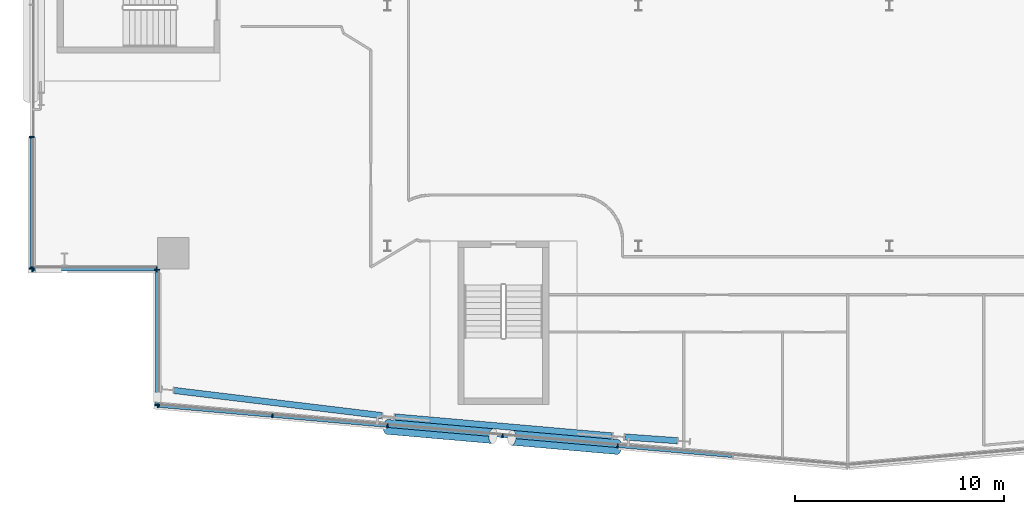
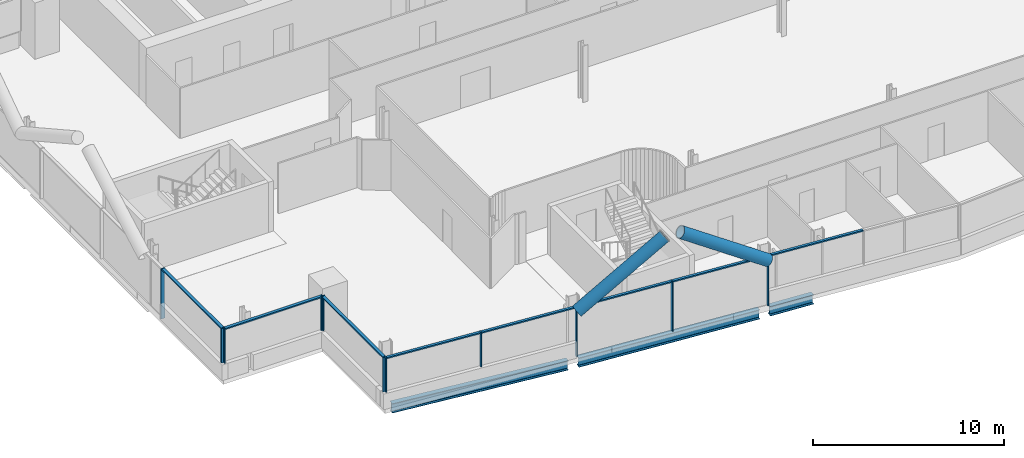
# One storey, part 6 of 29: 21 members, 3 beams, 4 elements without a shape of their own.
"""IFC4 building model written with IfcOpenShell, lengths in metres."""

from ifc_helpers import new_model, si_unit, direction, frame, origin, origin_2d, place, context, subcontext, project, spatial, rectangle, hollow_circle, i_section, extrude, material, material_profile, profile_set, type_object, element, aggregate, save


model = new_model("IFC4")

# Units and contexts
model_context = context("Model", 3, precision=1e-05, world=origin(), true_north=direction((0.0, 1.0)))
body_context = subcontext(model_context, "Body", "Model", "MODEL_VIEW")
ifc_project = project(units=[si_unit("LENGTHUNIT", "METRE"), si_unit("AREAUNIT", "SQUARE_METRE"), si_unit("VOLUMEUNIT", "CUBIC_METRE"), si_unit("PLANEANGLEUNIT", "RADIAN"), si_unit("MASSUNIT", "GRAM", prefix="KILO")], contexts=[model_context])

# Site, building, storey
site_placement = place(None, origin())
site = spatial("IfcSite", under=ifc_project, at=site_placement, CompositionType="ELEMENT")
building_placement = place(site_placement, origin())
building = spatial("IfcBuilding", under=site, at=building_placement, Name="Wharfspan Tower", CompositionType="ELEMENT")
storey_placement = place(building_placement, frame((0.0, 0.0, 155.5)))
storey = spatial("IfcBuildingStorey", under=building, at=storey_placement, Name="L37", CompositionType="ELEMENT", Elevation=155.5)

# Beams
ifc_material_1 = material(Name="Steel S355J2", Category="steel")
ifc_material_profile_1 = material_profile(ifc_material_1, i_section(OverallWidth=0.300049, OverallDepth=0.600098, WebThickness=0.015381, FlangeThickness=0.030029, FilletRadius=0.0271, at=origin_2d()))
ifc_profile_set_1 = profile_set([ifc_material_profile_1], Name="Steel S355J2")
beam_type = type_object("IfcBeamType", Name="Edge beam HEB 600", PredefinedType="SPANDREL", material=ifc_profile_set_1)
beam_1_placement = place(storey_placement, frame((13.794678, 4.600586, -0.699951), z_axis=(0.992758, -0.12013, 0.0), x_axis=(0.12013, 0.992758, 0.0)))
element("IfcBeam", 1, at=beam_1_placement, inside=storey, type_object=beam_type, Name="Edge beam S1 L37 PS1.1 to PS1.2", PredefinedType="SPANDREL", context=body_context, shape_type="SweptSolid", body=[
    extrude(i_section(OverallWidth=0.300049, OverallDepth=0.600098, WebThickness=0.015381, FlangeThickness=0.030029, FilletRadius=0.0271, at=origin_2d()), origin(), (0.0, 0.0, 1.0), 10.013184),
])
beam_2_placement = place(storey_placement, frame((24.343994, 3.334229, -0.699951), z_axis=(0.996196, -0.087146, 0.0), x_axis=(0.087146, 0.996196, 0.0)))
element("IfcBeam", 2, at=beam_2_placement, inside=storey, type_object=beam_type, Name="Edge beam S1 L37 PS1.2 to PS1.3", PredefinedType="SPANDREL", context=body_context, shape_type="SweptSolid", body=[
    extrude(i_section(OverallWidth=0.300049, OverallDepth=0.600098, WebThickness=0.015381, FlangeThickness=0.030029, FilletRadius=0.0271, at=origin_2d()), origin(), (0.0, 0.0, 1.0), 10.430176),
])
beam_3_placement = place(storey_placement, frame((35.344482, 2.376709, -0.699951), z_axis=(0.997423, -0.07175, 0.0), x_axis=(0.07175, 0.997423, 0.0)))
element("IfcBeam", 3, at=beam_3_placement, inside=storey, type_object=beam_type, Name="Edge beam S1 L37 PS1.3 to PS1.4", PredefinedType="SPANDREL", context=body_context, shape_type="SweptSolid", body=[
    extrude(i_section(OverallWidth=0.300049, OverallDepth=0.600098, WebThickness=0.015381, FlangeThickness=0.030029, FilletRadius=0.0271, at=origin_2d()), origin(), (0.0, 0.0, 1.0), 2.518066),
])

# Curtain wall, members
ifc_material_2 = material(Name="Aluminium 6063-T6", Category="aluminium")
curtain_wall_type_1 = type_object("IfcCurtainWallType", Name="CURTAIN WALL FACETED FRONT", PredefinedType="NOTDEFINED", material=ifc_material_2)
curtain_wall_1_placement = place(storey_placement, origin())
curtain_wall_1 = element("IfcCurtainWall", 4, at=curtain_wall_1_placement, inside=storey, type_object=curtain_wall_type_1, Name="Curtain wall S1", PredefinedType="NOTDEFINED")
ifc_material_profile_2 = material_profile(ifc_material_2, rectangle(XDim=0.199951, YDim=0.060059, at=origin_2d()))
ifc_profile_set_2 = profile_set([ifc_material_profile_2], Name="Aluminium 6063-T6")
member_type_1 = type_object("IfcMemberType", Name="MULLION FACETED FRONT 60x200", PredefinedType="MULLION", material=ifc_profile_set_2)
member_1_placement = place(storey_placement, frame((13.029785, 3.872559, 1.0), z_axis=(0.0, 0.0, 1.0), x_axis=(0.087156, 0.996198, 0.0)))
member_1 = element("IfcMember", 5, at=member_1_placement, type_object=member_type_1, Name="Curtain wall S1 mullion 1", PredefinedType="MULLION", context=body_context, shape_type="SweptSolid", body=[
    extrude(rectangle(XDim=0.199951, YDim=0.060059, at=origin_2d()), origin(), (0.0, 0.0, 1.0), 2.199951),
])
member_2_placement = place(storey_placement, frame((18.5, 3.393799, 1.0), z_axis=(0.0, 0.0, 1.0), x_axis=(0.087156, 0.996198, 0.0)))
member_2 = element("IfcMember", 6, at=member_2_placement, type_object=member_type_1, Name="Curtain wall S1 mullion 2", PredefinedType="MULLION", context=body_context, shape_type="SweptSolid", body=[
    extrude(rectangle(XDim=0.199951, YDim=0.060059, at=origin_2d()), origin(), (0.0, 0.0, 1.0), 2.199951),
])
member_3_placement = place(storey_placement, frame((24.0, 2.912598, 0.0), z_axis=(0.0, 0.0, 1.0), x_axis=(0.087156, 0.996198, 0.0)))
member_3 = element("IfcMember", 7, at=member_3_placement, type_object=member_type_1, Name="Curtain wall S1 mullion 3", PredefinedType="MULLION", context=body_context, shape_type="SweptSolid", body=[
    extrude(rectangle(XDim=0.199951, YDim=0.060059, at=origin_2d()), origin(), (0.0, 0.0, 1.0), 3.199951),
])
member_4_placement = place(storey_placement, frame((29.5, 2.431396, 0.0), z_axis=(0.0, 0.0, 1.0), x_axis=(0.087156, 0.996198, 0.0)))
member_4 = element("IfcMember", 8, at=member_4_placement, type_object=member_type_1, Name="Curtain wall S1 mullion 4", PredefinedType="MULLION", context=body_context, shape_type="SweptSolid", body=[
    extrude(rectangle(XDim=0.199951, YDim=0.060059, at=origin_2d()), origin(), (0.0, 0.0, 1.0), 3.199951),
])
member_5_placement = place(storey_placement, frame((35.0, 1.950195, 0.0), z_axis=(0.0, 0.0, 1.0), x_axis=(0.087156, 0.996198, 0.0)))
member_5 = element("IfcMember", 9, at=member_5_placement, type_object=member_type_1, Name="Curtain wall S1 mullion 5", PredefinedType="MULLION", context=body_context, shape_type="SweptSolid", body=[
    extrude(rectangle(XDim=0.199951, YDim=0.060059, at=origin_2d()), origin(), (0.0, 0.0, 1.0), 3.199951),
])

curtain_wall_type_2 = type_object("IfcCurtainWallType", Name="CURTAIN WALL PROW AND END", PredefinedType="NOTDEFINED", material=ifc_material_2)
curtain_wall_2_placement = place(storey_placement, origin())
curtain_wall_2 = element("IfcCurtainWall", 10, at=curtain_wall_2_placement, inside=storey, type_object=curtain_wall_type_2, Name="Curtain wall W", PredefinedType="NOTDEFINED")
ifc_material_profile_3 = material_profile(ifc_material_2, rectangle(XDim=0.23999, YDim=0.060059, at=origin_2d()))
ifc_profile_set_3 = profile_set([ifc_material_profile_3], Name="Aluminium 6063-T6")
member_type_2 = type_object("IfcMemberType", Name="MULLION PROW AND END 60x240", PredefinedType="MULLION", material=ifc_profile_set_3)
member_6_placement = place(storey_placement, frame((7.0, 16.719971, 0.0), z_axis=(0.0, 0.0, 1.0), x_axis=(1.0, 0.0, 0.0)))
member_6 = element("IfcMember", 11, at=member_6_placement, type_object=member_type_2, Name="Curtain wall W mullion 5", PredefinedType="MULLION", context=body_context, shape_type="SweptSolid", body=[
    extrude(rectangle(XDim=0.23999, YDim=0.060059, at=origin_2d()), origin(), (0.0, 0.0, 1.0), 3.199951),
])
member_7_placement = place(storey_placement, frame((7.0, 10.429932, 1.0), z_axis=(0.0, 0.0, 1.0), x_axis=(1.0, 0.0, 0.0)))
member_7 = element("IfcMember", 12, at=member_7_placement, type_object=member_type_2, Name="Curtain wall W mullion 6", PredefinedType="MULLION", context=body_context, shape_type="SweptSolid", body=[
    extrude(rectangle(XDim=0.23999, YDim=0.060059, at=origin_2d()), origin(), (0.0, 0.0, 1.0), 2.199951),
])

curtain_wall_3_placement = place(storey_placement, origin())
curtain_wall_3 = element("IfcCurtainWall", 13, at=curtain_wall_3_placement, inside=storey, type_object=curtain_wall_type_2, Name="Curtain wall NFW-H", PredefinedType="NOTDEFINED")
member_8_placement = place(storey_placement, frame((7.030029, 10.399902, 1.0), z_axis=(0.0, 0.0, 1.0), x_axis=(0.0, 1.0, 0.0)))
member_8 = element("IfcMember", 14, at=member_8_placement, type_object=member_type_2, Name="Curtain wall NFW-H mullion 1", PredefinedType="MULLION", context=body_context, shape_type="SweptSolid", body=[
    extrude(rectangle(XDim=0.23999, YDim=0.060059, at=origin_2d()), origin(), (0.0, 0.0, 1.0), 2.199951),
])
member_9_placement = place(storey_placement, frame((12.969971, 10.399902, 1.0), z_axis=(0.0, 0.0, 1.0), x_axis=(0.0, 1.0, 0.0)))
member_9 = element("IfcMember", 15, at=member_9_placement, type_object=member_type_2, Name="Curtain wall NFW-H mullion 2", PredefinedType="MULLION", context=body_context, shape_type="SweptSolid", body=[
    extrude(rectangle(XDim=0.23999, YDim=0.060059, at=origin_2d()), origin(), (0.0, 0.0, 1.0), 2.199951),
])

curtain_wall_4_placement = place(storey_placement, origin())
curtain_wall_4 = element("IfcCurtainWall", 16, at=curtain_wall_4_placement, inside=storey, type_object=curtain_wall_type_2, Name="Curtain wall NFW-V", PredefinedType="NOTDEFINED")
member_10_placement = place(storey_placement, frame((13.0, 10.370117, 1.0), z_axis=(0.0, 0.0, 1.0), x_axis=(1.0, 0.0, 0.0)))
member_10 = element("IfcMember", 17, at=member_10_placement, type_object=member_type_2, Name="Curtain wall NFW-V mullion 1", PredefinedType="MULLION", context=body_context, shape_type="SweptSolid", body=[
    extrude(rectangle(XDim=0.23999, YDim=0.060059, at=origin_2d()), origin(), (0.0, 0.0, 1.0), 2.199951),
])
member_11_placement = place(storey_placement, frame((13.0, 3.905029, 1.0), z_axis=(0.0, 0.0, 1.0), x_axis=(1.0, 0.0, 0.0)))
member_11 = element("IfcMember", 18, at=member_11_placement, type_object=member_type_2, Name="Curtain wall NFW-V mullion 2", PredefinedType="MULLION", context=body_context, shape_type="SweptSolid", body=[
    extrude(rectangle(XDim=0.23999, YDim=0.060059, at=origin_2d()), origin(), (0.0, 0.0, 1.0), 2.199951),
])

# Members
ifc_material_3 = material(Name="Steel S460NH", Category="steel")
ifc_material_profile_4 = material_profile(ifc_material_3, hollow_circle(Radius=0.355469, WallThickness=0.035889, at=origin_2d()))
ifc_profile_set_4 = profile_set([ifc_material_profile_4], Name="Steel S460NH")
member_type_3 = type_object("IfcMemberType", Name="Mega brace CHS 711x36", PredefinedType="BRACE", material=ifc_profile_set_4)
for number, where, z_axis, x_axis, name in (
    (19, (23.995117, 2.85791, 2.899902), (0.834469, -0.073006, 0.546197), (0.087156, 0.996198, -1e-06), "Mega brace S1 L38 part 1"),
    (20, (34.995117, 1.895508, 2.899902), (-0.834469, 0.073006, 0.546197), (-0.087156, -0.996198, -1e-06), "Mega brace S1 L38 part 3"),
):
    element("IfcMember", number, at=place(storey_placement, frame(where, z_axis=z_axis, x_axis=x_axis)), inside=storey, type_object=member_type_3, Name=name, PredefinedType="BRACE", context=body_context, shape_type="SweptSolid", body=[
        extrude(hollow_circle(Radius=0.355469, WallThickness=0.035889, at=origin_2d()), origin(), (0.0, 0.0, 1.0), 6.049561),
    ])

# Member
ifc_material_profile_5 = material_profile(ifc_material_2, rectangle(XDim=0.159912, YDim=0.080078, at=origin_2d()))
ifc_profile_set_5 = profile_set([ifc_material_profile_5], Name="Aluminium 6063-T6")
member_type_4 = type_object("IfcMemberType", Name="TRANSOM FACETED FRONT 80x160", PredefinedType="USERDEFINED", material=ifc_profile_set_5)
member_12_placement = place(storey_placement, frame((13.059814, 3.869873, 3.159912), z_axis=(0.996194, -0.087163, 0.0), x_axis=(0.087163, 0.996194, 0.0)))
member_12 = element("IfcMember", 21, at=member_12_placement, type_object=member_type_4, Name="Curtain wall S1 transom 1", ObjectType="TRANSOM", PredefinedType="USERDEFINED", context=body_context, shape_type="SweptSolid", body=[
    extrude(rectangle(XDim=0.159912, YDim=0.080078, at=origin_2d()), origin(), (0.0, 0.0, 1.0), 5.431152),
])

member_13_placement = place(storey_placement, frame((18.529785, 3.391357, 3.159912), z_axis=(0.996193, -0.087174, 0.0), x_axis=(0.087174, 0.996193, 0.0)))
member_13 = element("IfcMember", 22, at=member_13_placement, type_object=member_type_4, Name="Curtain wall S1 transom 2", ObjectType="TRANSOM", PredefinedType="USERDEFINED", context=body_context, shape_type="SweptSolid", body=[
    extrude(rectangle(XDim=0.159912, YDim=0.080078, at=origin_2d()), origin(), (0.0, 0.0, 1.0), 5.461182),
])

member_14_placement = place(storey_placement, frame((24.029785, 2.910156, 3.159912), z_axis=(0.996193, -0.087174, 0.0), x_axis=(0.087174, 0.996193, 0.0)))
member_14 = element("IfcMember", 23, at=member_14_placement, type_object=member_type_4, Name="Curtain wall S1 transom 3", ObjectType="TRANSOM", PredefinedType="USERDEFINED", context=body_context, shape_type="SweptSolid", body=[
    extrude(rectangle(XDim=0.159912, YDim=0.080078, at=origin_2d()), origin(), (0.0, 0.0, 1.0), 5.461182),
])

member_15_placement = place(storey_placement, frame((29.529785, 2.428955, 3.159912), z_axis=(0.996193, -0.087174, 0.0), x_axis=(0.087174, 0.996193, 0.0)))
member_15 = element("IfcMember", 24, at=member_15_placement, type_object=member_type_4, Name="Curtain wall S1 transom 4", ObjectType="TRANSOM", PredefinedType="USERDEFINED", context=body_context, shape_type="SweptSolid", body=[
    extrude(rectangle(XDim=0.159912, YDim=0.080078, at=origin_2d()), origin(), (0.0, 0.0, 1.0), 5.461182),
])

member_16_placement = place(storey_placement, frame((35.029785, 1.947754, 3.159912), z_axis=(0.996193, -0.087174, 0.0), x_axis=(0.087174, 0.996193, 0.0)))
member_16 = element("IfcMember", 25, at=member_16_placement, type_object=member_type_4, Name="Curtain wall S1 transom 5", ObjectType="TRANSOM", PredefinedType="USERDEFINED", context=body_context, shape_type="SweptSolid", body=[
    extrude(rectangle(XDim=0.159912, YDim=0.080078, at=origin_2d()), origin(), (0.0, 0.0, 1.0), 5.461182),
])

aggregate(curtain_wall_1, [member_1, member_2, member_3, member_4, member_5, member_12, member_13, member_14, member_15, member_16])

ifc_material_profile_6 = material_profile(ifc_material_2, rectangle(XDim=0.179932, YDim=0.080078, at=origin_2d()))
ifc_profile_set_6 = profile_set([ifc_material_profile_6], Name="Aluminium 6063-T6")
member_type_5 = type_object("IfcMemberType", Name="TRANSOM PROW AND END 80x180", PredefinedType="USERDEFINED", material=ifc_profile_set_6)
member_17_placement = place(storey_placement, frame((7.0, 16.689941, 3.159912), z_axis=(0.0, -1.0, 0.0), x_axis=(1.0, 0.0, 0.0)))
member_17 = element("IfcMember", 26, at=member_17_placement, type_object=member_type_5, Name="Curtain wall W transom 5", ObjectType="TRANSOM", PredefinedType="USERDEFINED", context=body_context, shape_type="SweptSolid", body=[
    extrude(rectangle(XDim=0.179932, YDim=0.080078, at=origin_2d()), origin(), (0.0, 0.0, 1.0), 6.22998),
])

aggregate(curtain_wall_2, [member_6, member_7, member_17])

member_18_placement = place(storey_placement, frame((7.060059, 10.399902, 3.159912), z_axis=(1.0, 0.0, 0.0), x_axis=(0.0, 1.0, 0.0)))
member_18 = element("IfcMember", 27, at=member_18_placement, type_object=member_type_5, Name="Curtain wall NFW-H transom 1", ObjectType="TRANSOM", PredefinedType="USERDEFINED", context=body_context, shape_type="SweptSolid", body=[
    extrude(rectangle(XDim=0.179932, YDim=0.080078, at=origin_2d()), origin(), (0.0, 0.0, 1.0), 5.879883),
])

aggregate(curtain_wall_3, [member_8, member_9, member_18])

member_19_placement = place(storey_placement, frame((13.0, 10.340088, 3.159912), z_axis=(0.0, -1.0, 0.0), x_axis=(1.0, 0.0, 0.0)))
member_19 = element("IfcMember", 28, at=member_19_placement, type_object=member_type_5, Name="Curtain wall NFW-V transom 1", ObjectType="TRANSOM", PredefinedType="USERDEFINED", context=body_context, shape_type="SweptSolid", body=[
    extrude(rectangle(XDim=0.179932, YDim=0.080078, at=origin_2d()), origin(), (0.0, 0.0, 1.0), 6.405029),
])

aggregate(curtain_wall_4, [member_10, member_11, member_19])

save(model, "model.ifc")
